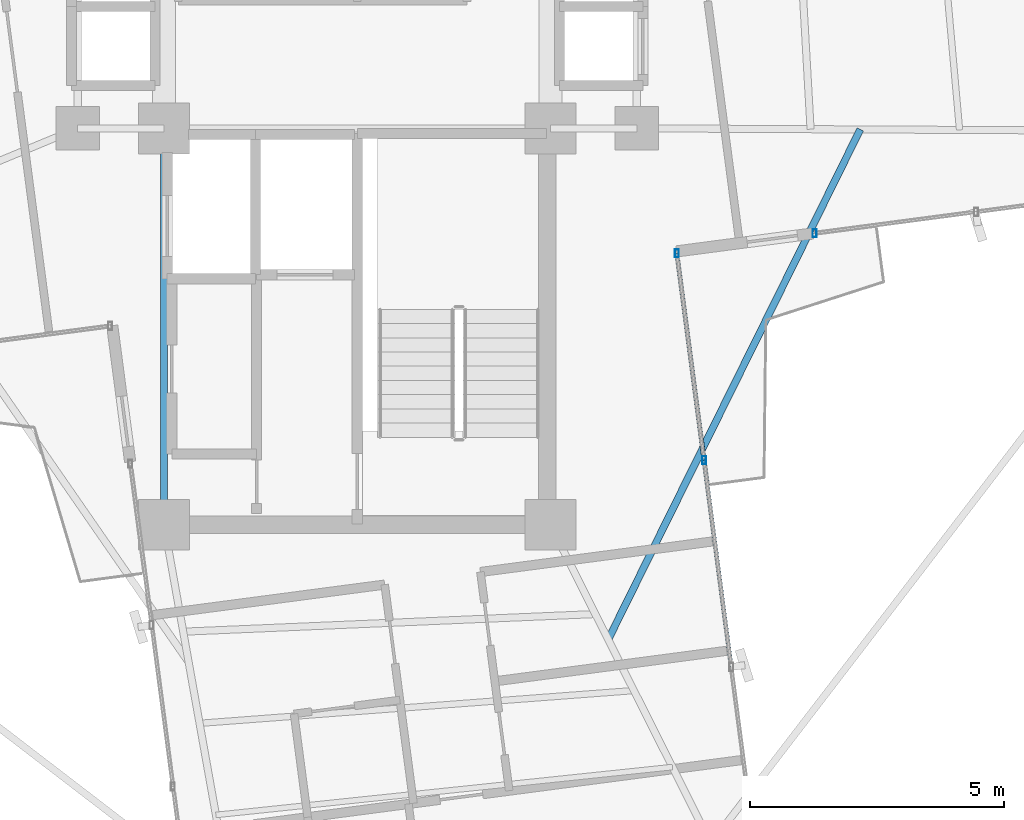
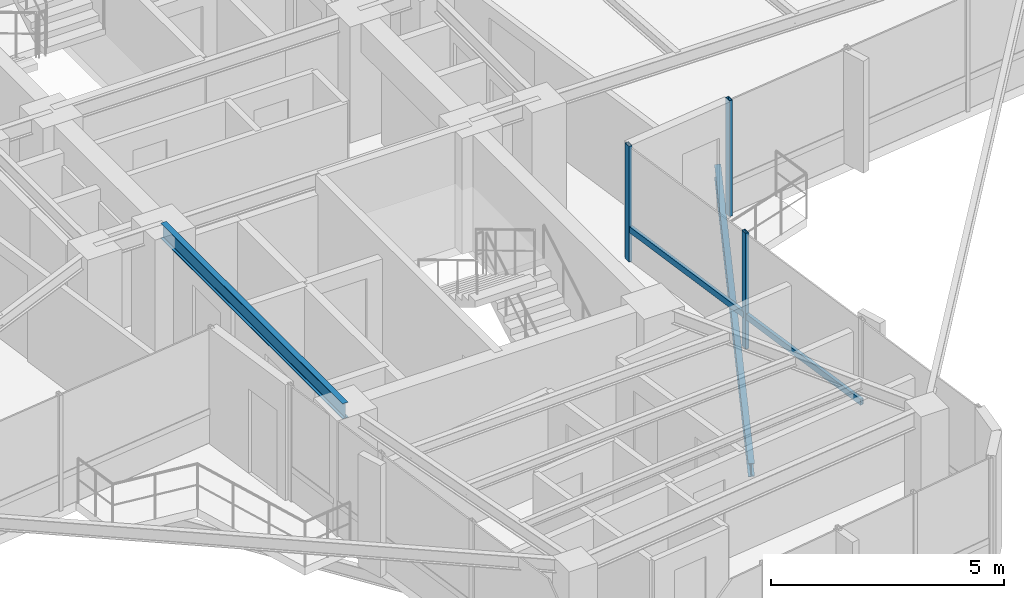
# One storey, part 5 of 22: 5 members, 2 beams, 2 elements without a shape of their own.
"""IFC4 building model written with IfcOpenShell, lengths in metres."""

from ifc_helpers import new_model, si_unit, direction, frame, origin, origin_2d, place, context, subcontext, project, spatial, hollow_rectangle, i_section, extrude, source, transform, mapped, material, material_profile, profile_set, type_object, element, aggregate, save


model = new_model("IFC4")

# Units and contexts
model_context = context("Model", 3, precision=1e-05, world=origin(), true_north=direction((0.0, 1.0)))
body_context = subcontext(model_context, "Body", "Model", "MODEL_VIEW")
ifc_project = project(units=[si_unit("LENGTHUNIT", "METRE"), si_unit("AREAUNIT", "SQUARE_METRE"), si_unit("VOLUMEUNIT", "CUBIC_METRE"), si_unit("PLANEANGLEUNIT", "RADIAN"), si_unit("MASSUNIT", "GRAM", prefix="KILO")], contexts=[model_context])

# Site, building, storey
site_placement = place(None, origin())
site = spatial("IfcSite", under=ifc_project, at=site_placement, CompositionType="ELEMENT")
building_placement = place(site_placement, origin())
building = spatial("IfcBuilding", under=site, at=building_placement, Name="Sahyath Konkavel Grand Hotel", CompositionType="ELEMENT")
storey_placement = place(building_placement, frame((0.0, 0.0, 261.25)))
storey = spatial("IfcBuildingStorey", under=building, at=storey_placement, Name="L73", CompositionType="ELEMENT", Elevation=261.25)

# Beam
ifc_material_1 = material(Name="Steel E350", Category="steel")
ifc_material_profile_1 = material_profile(ifc_material_1, i_section(OverallWidth=0.139892578125, OverallDepth=0.39990234375, WebThickness=0.0087890625, FlangeThickness=0.01611328125, FilletRadius=0.013916015625, at=origin_2d()), Name="ISMB 400")
ifc_profile_set_1 = profile_set([ifc_material_profile_1], Name="Steel E350")
beam_type_1 = type_object("IfcBeamType", Name="BM-ISMB400", PredefinedType="BEAM", material=ifc_profile_set_1)
shared_shape_1 = source(origin(), body_context, "Body", "SweptSolid", [
    extrude(i_section(OverallWidth=0.139892578125, OverallDepth=0.39990234375, WebThickness=0.0087890625, FlangeThickness=0.01611328125, FilletRadius=0.013916015625, at=origin_2d()), origin(), (0.0, 0.0, 1.0), 7.800048828125),
])
beam_1_placement = place(storey_placement, frame((-3.800048828125, -10.199951171875, 2.830078125), z_axis=(0.0, 1.0, 0.0), x_axis=(-1.0, 0.0, 0.0)))
element("IfcBeam", 1, at=beam_1_placement, inside=storey, type_object=beam_type_1, Name="str:bm:L73:SC-W", PredefinedType="BEAM", context=body_context, shape_type="MappedRepresentation", body=[
    mapped(shared_shape_1, transform((0.0, 0.0, 0.0), scale=1.0)),
])

# Curtain wall, member
ifc_material_2 = material(Name="Anodised Bronze Aluminium & Low-E Glazing", Category="aluminium")
curtain_wall_type = type_object("IfcCurtainWallType", Name="CW-ZONE4", PredefinedType="NOTDEFINED", material=ifc_material_2)
curtain_wall_1_placement = place(storey_placement, origin())
curtain_wall_1 = element("IfcCurtainWall", 2, at=curtain_wall_1_placement, inside=storey, type_object=curtain_wall_type, Name="L73 Unitised Curtain Wall F0", PredefinedType="NOTDEFINED")
ifc_material_3 = material(Name="Anodised Bronze Aluminium", Category="aluminium")
ifc_material_profile_2 = material_profile(ifc_material_3, hollow_rectangle(XDim=0.080078125, YDim=0.159912109375, WallThickness=0.006103515625, at=origin_2d()), Name="RHS 160x80x6")
ifc_profile_set_2 = profile_set([ifc_material_profile_2], Name="Anodised Bronze Aluminium")
member_type_1 = type_object("IfcMemberType", Name="CW-MUL-160", PredefinedType="MULLION", material=ifc_profile_set_2)
shared_shape_2 = source(origin(), body_context, "Body", "SweptSolid", [
    extrude(hollow_rectangle(XDim=0.080078125, YDim=0.159912109375, WallThickness=0.006103515625, at=origin_2d()), origin(), (0.0, 0.0, 1.0), 3.030029296875),
])
member_1_placement = place(storey_placement, frame((8.99951171875, -4.46337890625, 0.0), z_axis=(0.0, 0.0, 1.0), x_axis=(1.0, 0.0, 0.0)))
member_1 = element("IfcMember", 3, at=member_1_placement, type_object=member_type_1, Name="L73 Curtain Wall Mullion F0-0", PredefinedType="MULLION", context=body_context, shape_type="MappedRepresentation", body=[
    mapped(shared_shape_2, transform((0.0, 0.0, 0.0), scale=1.0)),
])
aggregate(curtain_wall_1, [member_1])

# Curtain wall, members
curtain_wall_2_placement = place(storey_placement, origin())
curtain_wall_2 = element("IfcCurtainWall", 4, at=curtain_wall_2_placement, inside=storey, type_object=curtain_wall_type, Name="L73 Unitised Curtain Wall F31", PredefinedType="NOTDEFINED")
member_2_placement = place(storey_placement, frame((6.82373046875, -8.928955078125, 0.0), z_axis=(0.0, 0.0, 1.0), x_axis=(1.0, 0.0, 0.0)))
member_2 = element("IfcMember", 5, at=member_2_placement, type_object=member_type_1, Name="L73 Curtain Wall Mullion F31-2", PredefinedType="MULLION", context=body_context, shape_type="MappedRepresentation", body=[
    mapped(shared_shape_2, transform((0.0, 0.0, 0.0), scale=1.0)),
])
member_3_placement = place(storey_placement, frame((6.2880859375, -4.86083984375, 0.0), z_axis=(0.0, 0.0, 1.0), x_axis=(1.0, 0.0, 0.0)))
member_3 = element("IfcMember", 6, at=member_3_placement, type_object=member_type_1, Name="L73 Curtain Wall Mullion F31-3", PredefinedType="MULLION", context=body_context, shape_type="MappedRepresentation", body=[
    mapped(shared_shape_2, transform((0.0, 0.0, 0.0), scale=1.0)),
])
ifc_material_profile_3 = material_profile(ifc_material_3, hollow_rectangle(XDim=0.080078125, YDim=0.159912109375, WallThickness=0.006103515625, at=origin_2d()), Name="RHS 160x80x6")
ifc_profile_set_3 = profile_set([ifc_material_profile_3], Name="Anodised Bronze Aluminium")
member_type_2 = type_object("IfcMemberType", Name="CW-TRN-160", PredefinedType="USERDEFINED", material=ifc_profile_set_3)
shared_shape_3 = source(origin(), body_context, "Body", "SweptSolid", [
    extrude(hollow_rectangle(XDim=0.080078125, YDim=0.159912109375, WallThickness=0.006103515625, at=origin_2d()), origin(), (0.0, 0.0, 1.0), 4.103271484375),
])
member_4_placement = place(storey_placement, frame((6.82373046875, -8.928955078125, 0.85009765625), z_axis=(-0.130542242661, 0.991442748161, 0.0), x_axis=(-0.991442748161, -0.130542242661, 0.0)))
member_4 = element("IfcMember", 7, at=member_4_placement, type_object=member_type_2, Name="L73 Curtain Wall Transom F31-2-spandrel", ObjectType="TRANSOM", PredefinedType="USERDEFINED", context=body_context, shape_type="MappedRepresentation", body=[
    mapped(shared_shape_3, transform((0.0, 0.0, 0.0), scale=1.0)),
])
shared_shape_4 = source(origin(), body_context, "Body", "SweptSolid", [
    extrude(hollow_rectangle(XDim=0.080078125, YDim=0.159912109375, WallThickness=0.006103515625, at=origin_2d()), origin(), (0.0, 0.0, 1.0), 4.103515625),
])
member_5_placement = place(storey_placement, frame((7.359619140625, -12.997314453125, 0.85009765625), z_axis=(-0.130593024052, 0.991436060505, 0.0), x_axis=(-0.991436060505, -0.130593024052, 0.0)))
member_5 = element("IfcMember", 8, at=member_5_placement, type_object=member_type_2, Name="L73 Curtain Wall Transom F31-1-spandrel", ObjectType="TRANSOM", PredefinedType="USERDEFINED", context=body_context, shape_type="MappedRepresentation", body=[
    mapped(shared_shape_4, transform((0.0, 0.0, 0.0), scale=1.0)),
])
aggregate(curtain_wall_2, [member_2, member_3, member_5, member_4])

# Beam
ifc_material_profile_4 = material_profile(ifc_material_1, i_section(OverallWidth=0.139892578125, OverallDepth=0.35009765625, WebThickness=0.008056640625, FlangeThickness=0.01416015625, FilletRadius=0.013916015625, at=origin_2d()), Name="ISMB 350")
ifc_profile_set_4 = profile_set([ifc_material_profile_4], Name="Steel E350")
beam_type_2 = type_object("IfcBeamType", Name="BM-BALC-CANT", PredefinedType="BEAM", material=ifc_profile_set_4)
shared_shape_5 = source(origin(), body_context, "Body", "SweptSolid", [
    extrude(i_section(OverallWidth=0.139892578125, OverallDepth=0.35009765625, WebThickness=0.008056640625, FlangeThickness=0.01416015625, FilletRadius=0.013916015625, at=origin_2d()), origin(), (0.0, 0.0, 1.0), 11.19482421875),
])
beam_2_placement = place(storey_placement, frame((4.9375, -12.4580078125, -0.4150390625), z_axis=(0.442969049107, 0.896536904725, 0.0), x_axis=(-0.896536904725, 0.442969049107, 0.0)))
element("IfcBeam", 9, at=beam_2_placement, inside=storey, type_object=beam_type_2, Name="L73 Balcony Cantilever Support Beam SE", PredefinedType="BEAM", context=body_context, shape_type="MappedRepresentation", body=[
    mapped(shared_shape_5, transform((0.0, 0.0, 0.0), scale=1.0)),
])

save(model, "model.ifc")
